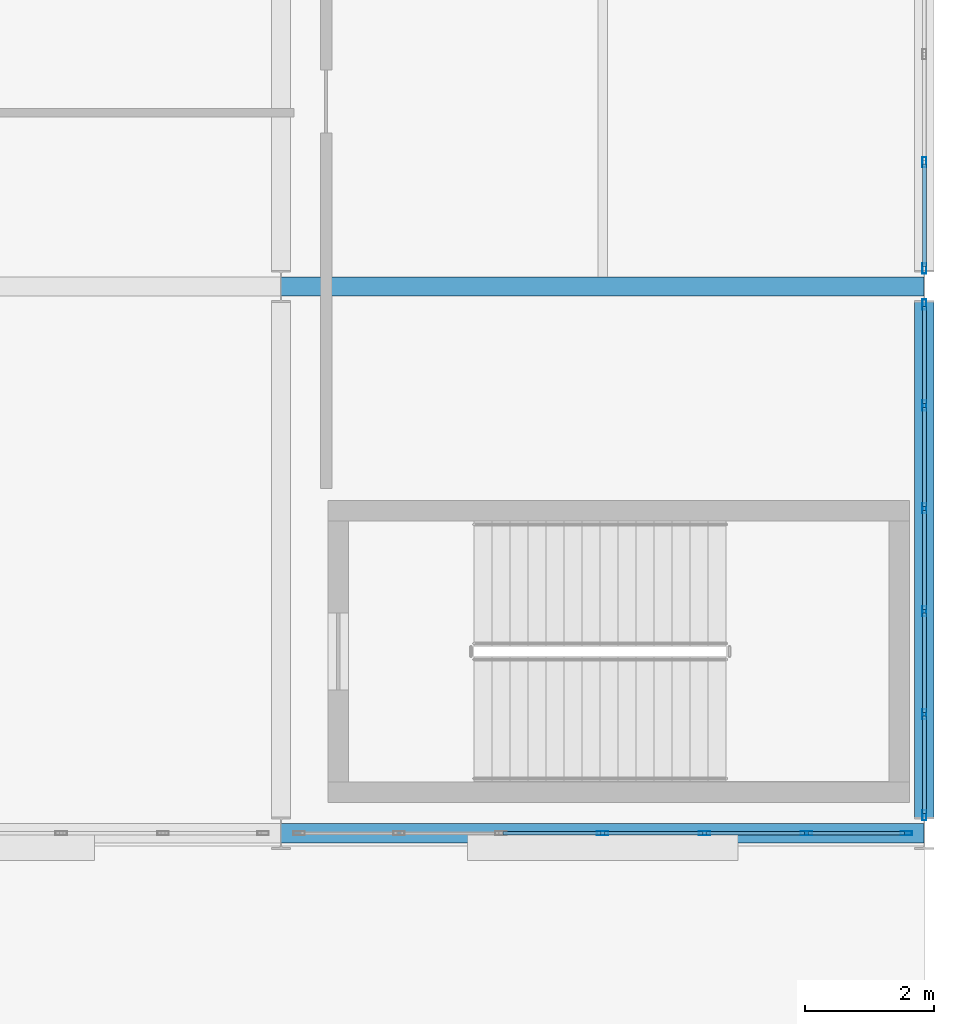
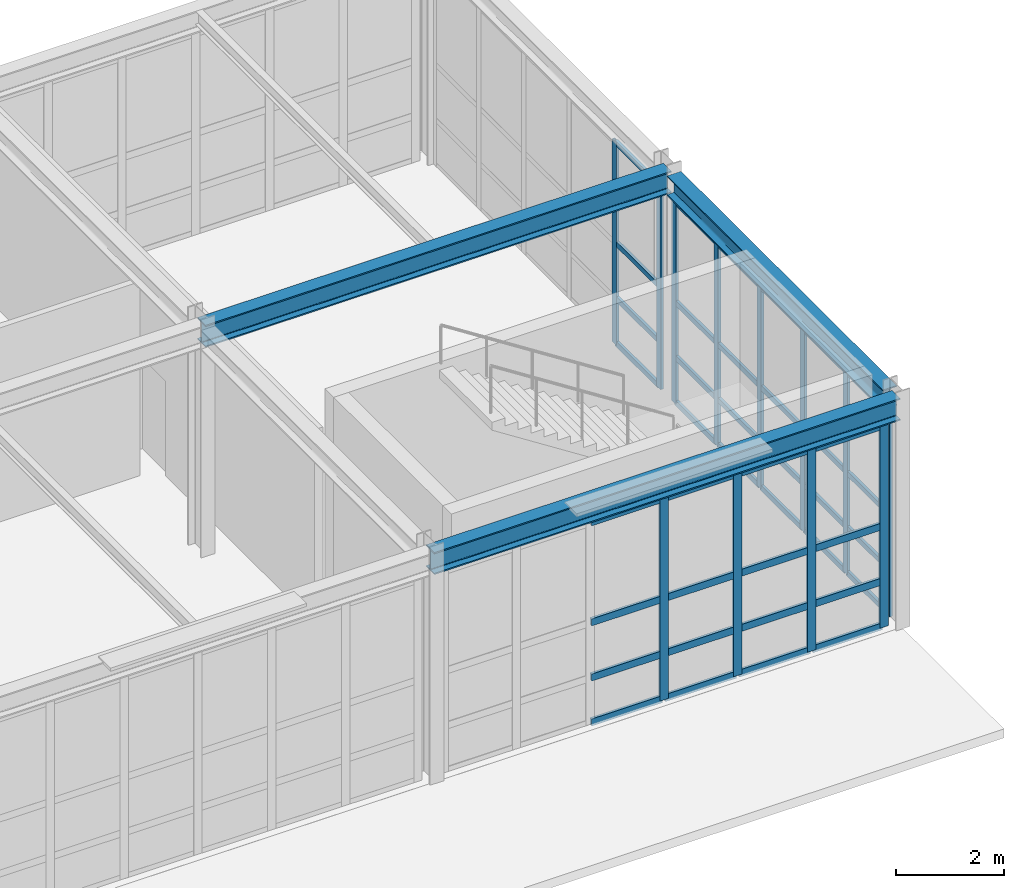
# One storey, part 103 of 210: 52 members, 3 beams, 3 elements without a shape of their own.
"""IFC4 building model written with IfcOpenShell, lengths in metres."""

from ifc_helpers import new_model, si_unit, direction, frame, origin, origin_2d, place, context, subcontext, project, spatial, hollow_rectangle, i_section, extrude, material, material_profile, profile_set, type_object, element, aggregate, save


model = new_model("IFC4")

# Units and contexts
model_context = context("Model", 3, precision=1e-05, world=origin(), true_north=direction((0.0, 1.0)))
body_context = subcontext(model_context, "Body", "Model", "MODEL_VIEW")
ifc_project = project(units=[si_unit("LENGTHUNIT", "METRE"), si_unit("AREAUNIT", "SQUARE_METRE"), si_unit("VOLUMEUNIT", "CUBIC_METRE"), si_unit("PLANEANGLEUNIT", "RADIAN"), si_unit("MASSUNIT", "GRAM", prefix="KILO")], contexts=[model_context])

# Site, building, storey
site_placement = place(None, origin())
site = spatial("IfcSite", under=ifc_project, at=site_placement, CompositionType="ELEMENT")
building_placement = place(site_placement, origin())
building = spatial("IfcBuilding", under=site, at=building_placement, Name="Kaldris Quays Convention Centre", CompositionType="ELEMENT")
storey_placement = place(building_placement, frame((0.0, 0.0, 6.0)))
storey = spatial("IfcBuildingStorey", under=building, at=storey_placement, Name="L01", CompositionType="ELEMENT", Elevation=6.0)

# Curtain wall, members
ifc_material_1 = material(Name="Anodized aluminium AW-6060 and triple glazing", Category="aluminium")
curtain_wall_type = type_object("IfcCurtainWallType", Name="UNITISED CURTAIN WALL CW02", PredefinedType="NOTDEFINED", material=ifc_material_1)
curtain_wall_1_placement = place(storey_placement, origin())
curtain_wall_1 = element("IfcCurtainWall", 1, at=curtain_wall_1_placement, inside=storey, type_object=curtain_wall_type, Name="L01 Unitised Curtain Wall CW02 196", PredefinedType="NOTDEFINED")
ifc_material_2 = material(Name="Anodized aluminium AW-6060", Category="aluminium")
ifc_material_profile_1 = material_profile(ifc_material_2, hollow_rectangle(XDim=0.06005859375, YDim=0.159912109375, WallThickness=0.00390625, at=origin_2d()), Name="RHS 160x60x4")
ifc_profile_set_1 = profile_set([ifc_material_profile_1], Name="Anodized aluminium AW-6060")
member_type_1 = type_object("IfcMemberType", Name="CURTAIN MULLION CWM1", PredefinedType="MULLION", material=ifc_profile_set_1)
member_1_placement = place(storey_placement, frame((204.0, 20.280029296875, 0.0), z_axis=(0.0, 0.0, 1.0), x_axis=(-1.0, 0.0, 0.0)))
member_1 = element("IfcMember", 2, at=member_1_placement, type_object=member_type_1, Name="CW02 mullion 1", PredefinedType="MULLION", context=body_context, shape_type="SweptSolid", body=[
    extrude(hollow_rectangle(XDim=0.06005859375, YDim=0.159912109375, WallThickness=0.00390625, at=origin_2d()), origin(), (0.0, 0.0, 1.0), 4.60009765625),
])
member_2_placement = place(storey_placement, frame((204.0, 21.85009765625, 0.0), z_axis=(0.0, 0.0, 1.0), x_axis=(-1.0, 0.0, 0.0)))
member_2 = element("IfcMember", 3, at=member_2_placement, type_object=member_type_1, Name="CW02 mullion 2", PredefinedType="MULLION", context=body_context, shape_type="SweptSolid", body=[
    extrude(hollow_rectangle(XDim=0.06005859375, YDim=0.159912109375, WallThickness=0.00390625, at=origin_2d()), origin(), (0.0, 0.0, 1.0), 4.60009765625),
])
member_3_placement = place(storey_placement, frame((204.0, 23.449951171875, 0.0), z_axis=(0.0, 0.0, 1.0), x_axis=(-1.0, 0.0, 0.0)))
member_3 = element("IfcMember", 4, at=member_3_placement, type_object=member_type_1, Name="CW02 mullion 3", PredefinedType="MULLION", context=body_context, shape_type="SweptSolid", body=[
    extrude(hollow_rectangle(XDim=0.06005859375, YDim=0.159912109375, WallThickness=0.00390625, at=origin_2d()), origin(), (0.0, 0.0, 1.0), 4.60009765625),
])
member_4_placement = place(storey_placement, frame((204.0, 25.050048828125, 0.0), z_axis=(0.0, 0.0, 1.0), x_axis=(-1.0, 0.0, 0.0)))
member_4 = element("IfcMember", 5, at=member_4_placement, type_object=member_type_1, Name="CW02 mullion 4", PredefinedType="MULLION", context=body_context, shape_type="SweptSolid", body=[
    extrude(hollow_rectangle(XDim=0.06005859375, YDim=0.159912109375, WallThickness=0.00390625, at=origin_2d()), origin(), (0.0, 0.0, 1.0), 4.60009765625),
])
member_5_placement = place(storey_placement, frame((204.0, 26.64990234375, 0.0), z_axis=(0.0, 0.0, 1.0), x_axis=(-1.0, 0.0, 0.0)))
member_5 = element("IfcMember", 6, at=member_5_placement, type_object=member_type_1, Name="CW02 mullion 5", PredefinedType="MULLION", context=body_context, shape_type="SweptSolid", body=[
    extrude(hollow_rectangle(XDim=0.06005859375, YDim=0.159912109375, WallThickness=0.00390625, at=origin_2d()), origin(), (0.0, 0.0, 1.0), 4.60009765625),
])
member_6_placement = place(storey_placement, frame((204.0, 28.219970703125, 0.0), z_axis=(0.0, 0.0, 1.0), x_axis=(-1.0, 0.0, 0.0)))
member_6 = element("IfcMember", 7, at=member_6_placement, type_object=member_type_1, Name="CW02 mullion 6", PredefinedType="MULLION", context=body_context, shape_type="SweptSolid", body=[
    extrude(hollow_rectangle(XDim=0.06005859375, YDim=0.159912109375, WallThickness=0.00390625, at=origin_2d()), origin(), (0.0, 0.0, 1.0), 4.60009765625),
])

curtain_wall_2_placement = place(storey_placement, origin())
curtain_wall_2 = element("IfcCurtainWall", 8, at=curtain_wall_2_placement, inside=storey, type_object=curtain_wall_type, Name="L01 Unitised Curtain Wall CW02 198", PredefinedType="NOTDEFINED")
member_7_placement = place(storey_placement, frame((204.0, 28.780029296875, 0.0), z_axis=(0.0, 0.0, 1.0), x_axis=(-1.0, 0.0, 0.0)))
member_7 = element("IfcMember", 9, at=member_7_placement, type_object=member_type_1, Name="CW02 mullion 1", PredefinedType="MULLION", context=body_context, shape_type="SweptSolid", body=[
    extrude(hollow_rectangle(XDim=0.06005859375, YDim=0.159912109375, WallThickness=0.00390625, at=origin_2d()), origin(), (0.0, 0.0, 1.0), 4.60009765625),
])
member_8_placement = place(storey_placement, frame((204.0, 30.429931640625, 0.0), z_axis=(0.0, 0.0, 1.0), x_axis=(-1.0, 0.0, 0.0)))
member_8 = element("IfcMember", 10, at=member_8_placement, type_object=member_type_1, Name="CW02 mullion 2", PredefinedType="MULLION", context=body_context, shape_type="SweptSolid", body=[
    extrude(hollow_rectangle(XDim=0.06005859375, YDim=0.159912109375, WallThickness=0.00390625, at=origin_2d()), origin(), (0.0, 0.0, 1.0), 4.60009765625),
])

curtain_wall_3_placement = place(storey_placement, origin())
curtain_wall_3 = element("IfcCurtainWall", 11, at=curtain_wall_3_placement, inside=storey, type_object=curtain_wall_type, Name="L01 Unitised Curtain Wall CW02 193", PredefinedType="NOTDEFINED")
ifc_material_profile_2 = material_profile(ifc_material_2, hollow_rectangle(XDim=0.06005859375, YDim=0.179931640625, WallThickness=0.0048828125, at=origin_2d()), Name="RHS 180x60x5")
ifc_profile_set_2 = profile_set([ifc_material_profile_2], Name="Anodized aluminium AW-6060")
member_type_2 = type_object("IfcMemberType", Name="CURTAIN MULLION CWM2", PredefinedType="MULLION", material=ifc_profile_set_2)
member_9_placement = place(storey_placement, frame((199.0, 20.0, 0.0), z_axis=(0.0, 0.0, 1.0), x_axis=(0.0, 1.0, 0.0)))
member_9 = element("IfcMember", 12, at=member_9_placement, type_object=member_type_2, Name="CW02 mullion 4", PredefinedType="MULLION", context=body_context, shape_type="SweptSolid", body=[
    extrude(hollow_rectangle(XDim=0.06005859375, YDim=0.179931640625, WallThickness=0.0048828125, at=origin_2d()), origin(), (0.0, 0.0, 1.0), 4.60009765625),
])
member_10_placement = place(storey_placement, frame((200.583251953125, 20.0, 0.0), z_axis=(0.0, 0.0, 1.0), x_axis=(0.0, 1.0, 0.0)))
member_10 = element("IfcMember", 13, at=member_10_placement, type_object=member_type_2, Name="CW02 mullion 5", PredefinedType="MULLION", context=body_context, shape_type="SweptSolid", body=[
    extrude(hollow_rectangle(XDim=0.06005859375, YDim=0.179931640625, WallThickness=0.0048828125, at=origin_2d()), origin(), (0.0, 0.0, 1.0), 4.60009765625),
])
member_11_placement = place(storey_placement, frame((202.166748046875, 20.0, 0.0), z_axis=(0.0, 0.0, 1.0), x_axis=(0.0, 1.0, 0.0)))
member_11 = element("IfcMember", 14, at=member_11_placement, type_object=member_type_2, Name="CW02 mullion 6", PredefinedType="MULLION", context=body_context, shape_type="SweptSolid", body=[
    extrude(hollow_rectangle(XDim=0.06005859375, YDim=0.179931640625, WallThickness=0.0048828125, at=origin_2d()), origin(), (0.0, 0.0, 1.0), 4.60009765625),
])
member_12_placement = place(storey_placement, frame((203.719970703125, 20.0, 0.0), z_axis=(0.0, 0.0, 1.0), x_axis=(0.0, 1.0, 0.0)))
member_12 = element("IfcMember", 15, at=member_12_placement, type_object=member_type_2, Name="CW02 mullion 7", PredefinedType="MULLION", context=body_context, shape_type="SweptSolid", body=[
    extrude(hollow_rectangle(XDim=0.06005859375, YDim=0.179931640625, WallThickness=0.0048828125, at=origin_2d()), origin(), (0.0, 0.0, 1.0), 4.60009765625),
])

# Member
ifc_material_profile_3 = material_profile(ifc_material_2, hollow_rectangle(XDim=0.06005859375, YDim=0.1201171875, WallThickness=0.00390625, at=origin_2d()), Name="RHS 120x60x4")
ifc_profile_set_3 = profile_set([ifc_material_profile_3], Name="Anodized aluminium AW-6060")
member_type_3 = type_object("IfcMemberType", Name="CURTAIN TRANSOM CWT1", PredefinedType="USERDEFINED", material=ifc_profile_set_3)
member_13_placement = place(storey_placement, frame((204.0, 20.31005859375, 0.030029296875), z_axis=(0.0, 1.0, 0.0), x_axis=(-1.0, 0.0, 0.0)))
member_13 = element("IfcMember", 16, at=member_13_placement, type_object=member_type_3, Name="CW02 transom 1.1", ObjectType="TRANSOM", PredefinedType="USERDEFINED", context=body_context, shape_type="SweptSolid", body=[
    extrude(hollow_rectangle(XDim=0.06005859375, YDim=0.1201171875, WallThickness=0.00390625, at=origin_2d()), origin(), (0.0, 0.0, 1.0), 1.510009765625),
])

member_14_placement = place(storey_placement, frame((204.0, 20.31005859375, 1.050048828125), z_axis=(0.0, 1.0, 0.0), x_axis=(-1.0, 0.0, 0.0)))
member_14 = element("IfcMember", 17, at=member_14_placement, type_object=member_type_3, Name="CW02 transom 1.2", ObjectType="TRANSOM", PredefinedType="USERDEFINED", context=body_context, shape_type="SweptSolid", body=[
    extrude(hollow_rectangle(XDim=0.06005859375, YDim=0.1201171875, WallThickness=0.00390625, at=origin_2d()), origin(), (0.0, 0.0, 1.0), 1.510009765625),
])

member_15_placement = place(storey_placement, frame((204.0, 20.31005859375, 2.300048828125), z_axis=(0.0, 1.0, 0.0), x_axis=(-1.0, 0.0, 0.0)))
member_15 = element("IfcMember", 18, at=member_15_placement, type_object=member_type_3, Name="CW02 transom 1.3", ObjectType="TRANSOM", PredefinedType="USERDEFINED", context=body_context, shape_type="SweptSolid", body=[
    extrude(hollow_rectangle(XDim=0.06005859375, YDim=0.1201171875, WallThickness=0.00390625, at=origin_2d()), origin(), (0.0, 0.0, 1.0), 1.510009765625),
])

member_16_placement = place(storey_placement, frame((204.0, 20.31005859375, 4.570068359375), z_axis=(0.0, 1.0, 0.0), x_axis=(-1.0, 0.0, 0.0)))
member_16 = element("IfcMember", 19, at=member_16_placement, type_object=member_type_3, Name="CW02 transom 1.4", ObjectType="TRANSOM", PredefinedType="USERDEFINED", context=body_context, shape_type="SweptSolid", body=[
    extrude(hollow_rectangle(XDim=0.06005859375, YDim=0.1201171875, WallThickness=0.00390625, at=origin_2d()), origin(), (0.0, 0.0, 1.0), 1.510009765625),
])

member_17_placement = place(storey_placement, frame((204.0, 21.8798828125, 0.030029296875), z_axis=(0.0, 1.0, 0.0), x_axis=(-1.0, 0.0, 0.0)))
member_17 = element("IfcMember", 20, at=member_17_placement, type_object=member_type_3, Name="CW02 transom 2.1", ObjectType="TRANSOM", PredefinedType="USERDEFINED", context=body_context, shape_type="SweptSolid", body=[
    extrude(hollow_rectangle(XDim=0.06005859375, YDim=0.1201171875, WallThickness=0.00390625, at=origin_2d()), origin(), (0.0, 0.0, 1.0), 1.5400390625),
])

member_18_placement = place(storey_placement, frame((204.0, 21.8798828125, 1.050048828125), z_axis=(0.0, 1.0, 0.0), x_axis=(-1.0, 0.0, 0.0)))
member_18 = element("IfcMember", 21, at=member_18_placement, type_object=member_type_3, Name="CW02 transom 2.2", ObjectType="TRANSOM", PredefinedType="USERDEFINED", context=body_context, shape_type="SweptSolid", body=[
    extrude(hollow_rectangle(XDim=0.06005859375, YDim=0.1201171875, WallThickness=0.00390625, at=origin_2d()), origin(), (0.0, 0.0, 1.0), 1.5400390625),
])

member_19_placement = place(storey_placement, frame((204.0, 21.8798828125, 2.300048828125), z_axis=(0.0, 1.0, 0.0), x_axis=(-1.0, 0.0, 0.0)))
member_19 = element("IfcMember", 22, at=member_19_placement, type_object=member_type_3, Name="CW02 transom 2.3", ObjectType="TRANSOM", PredefinedType="USERDEFINED", context=body_context, shape_type="SweptSolid", body=[
    extrude(hollow_rectangle(XDim=0.06005859375, YDim=0.1201171875, WallThickness=0.00390625, at=origin_2d()), origin(), (0.0, 0.0, 1.0), 1.5400390625),
])

member_20_placement = place(storey_placement, frame((204.0, 21.8798828125, 4.570068359375), z_axis=(0.0, 1.0, 0.0), x_axis=(-1.0, 0.0, 0.0)))
member_20 = element("IfcMember", 23, at=member_20_placement, type_object=member_type_3, Name="CW02 transom 2.4", ObjectType="TRANSOM", PredefinedType="USERDEFINED", context=body_context, shape_type="SweptSolid", body=[
    extrude(hollow_rectangle(XDim=0.06005859375, YDim=0.1201171875, WallThickness=0.00390625, at=origin_2d()), origin(), (0.0, 0.0, 1.0), 1.5400390625),
])

member_21_placement = place(storey_placement, frame((204.0, 23.47998046875, 0.030029296875), z_axis=(0.0, 1.0, 0.0), x_axis=(-1.0, 0.0, 0.0)))
member_21 = element("IfcMember", 24, at=member_21_placement, type_object=member_type_3, Name="CW02 transom 3.1", ObjectType="TRANSOM", PredefinedType="USERDEFINED", context=body_context, shape_type="SweptSolid", body=[
    extrude(hollow_rectangle(XDim=0.06005859375, YDim=0.1201171875, WallThickness=0.00390625, at=origin_2d()), origin(), (0.0, 0.0, 1.0), 1.5400390625),
])

member_22_placement = place(storey_placement, frame((204.0, 23.47998046875, 1.050048828125), z_axis=(0.0, 1.0, 0.0), x_axis=(-1.0, 0.0, 0.0)))
member_22 = element("IfcMember", 25, at=member_22_placement, type_object=member_type_3, Name="CW02 transom 3.2", ObjectType="TRANSOM", PredefinedType="USERDEFINED", context=body_context, shape_type="SweptSolid", body=[
    extrude(hollow_rectangle(XDim=0.06005859375, YDim=0.1201171875, WallThickness=0.00390625, at=origin_2d()), origin(), (0.0, 0.0, 1.0), 1.5400390625),
])

member_23_placement = place(storey_placement, frame((204.0, 23.47998046875, 2.300048828125), z_axis=(0.0, 1.0, 0.0), x_axis=(-1.0, 0.0, 0.0)))
member_23 = element("IfcMember", 26, at=member_23_placement, type_object=member_type_3, Name="CW02 transom 3.3", ObjectType="TRANSOM", PredefinedType="USERDEFINED", context=body_context, shape_type="SweptSolid", body=[
    extrude(hollow_rectangle(XDim=0.06005859375, YDim=0.1201171875, WallThickness=0.00390625, at=origin_2d()), origin(), (0.0, 0.0, 1.0), 1.5400390625),
])

member_24_placement = place(storey_placement, frame((204.0, 23.47998046875, 4.570068359375), z_axis=(0.0, 1.0, 0.0), x_axis=(-1.0, 0.0, 0.0)))
member_24 = element("IfcMember", 27, at=member_24_placement, type_object=member_type_3, Name="CW02 transom 3.4", ObjectType="TRANSOM", PredefinedType="USERDEFINED", context=body_context, shape_type="SweptSolid", body=[
    extrude(hollow_rectangle(XDim=0.06005859375, YDim=0.1201171875, WallThickness=0.00390625, at=origin_2d()), origin(), (0.0, 0.0, 1.0), 1.5400390625),
])

member_25_placement = place(storey_placement, frame((204.0, 25.080078125, 0.030029296875), z_axis=(0.0, 1.0, 0.0), x_axis=(-1.0, 0.0, 0.0)))
member_25 = element("IfcMember", 28, at=member_25_placement, type_object=member_type_3, Name="CW02 transom 4.1", ObjectType="TRANSOM", PredefinedType="USERDEFINED", context=body_context, shape_type="SweptSolid", body=[
    extrude(hollow_rectangle(XDim=0.06005859375, YDim=0.1201171875, WallThickness=0.00390625, at=origin_2d()), origin(), (0.0, 0.0, 1.0), 1.5400390625),
])

member_26_placement = place(storey_placement, frame((204.0, 25.080078125, 1.050048828125), z_axis=(0.0, 1.0, 0.0), x_axis=(-1.0, 0.0, 0.0)))
member_26 = element("IfcMember", 29, at=member_26_placement, type_object=member_type_3, Name="CW02 transom 4.2", ObjectType="TRANSOM", PredefinedType="USERDEFINED", context=body_context, shape_type="SweptSolid", body=[
    extrude(hollow_rectangle(XDim=0.06005859375, YDim=0.1201171875, WallThickness=0.00390625, at=origin_2d()), origin(), (0.0, 0.0, 1.0), 1.5400390625),
])

member_27_placement = place(storey_placement, frame((204.0, 25.080078125, 2.300048828125), z_axis=(0.0, 1.0, 0.0), x_axis=(-1.0, 0.0, 0.0)))
member_27 = element("IfcMember", 30, at=member_27_placement, type_object=member_type_3, Name="CW02 transom 4.3", ObjectType="TRANSOM", PredefinedType="USERDEFINED", context=body_context, shape_type="SweptSolid", body=[
    extrude(hollow_rectangle(XDim=0.06005859375, YDim=0.1201171875, WallThickness=0.00390625, at=origin_2d()), origin(), (0.0, 0.0, 1.0), 1.5400390625),
])

member_28_placement = place(storey_placement, frame((204.0, 25.080078125, 4.570068359375), z_axis=(0.0, 1.0, 0.0), x_axis=(-1.0, 0.0, 0.0)))
member_28 = element("IfcMember", 31, at=member_28_placement, type_object=member_type_3, Name="CW02 transom 4.4", ObjectType="TRANSOM", PredefinedType="USERDEFINED", context=body_context, shape_type="SweptSolid", body=[
    extrude(hollow_rectangle(XDim=0.06005859375, YDim=0.1201171875, WallThickness=0.00390625, at=origin_2d()), origin(), (0.0, 0.0, 1.0), 1.5400390625),
])

member_29_placement = place(storey_placement, frame((204.0, 26.679931640625, 0.030029296875), z_axis=(0.0, 1.0, 0.0), x_axis=(-1.0, 0.0, 0.0)))
member_29 = element("IfcMember", 32, at=member_29_placement, type_object=member_type_3, Name="CW02 transom 5.1", ObjectType="TRANSOM", PredefinedType="USERDEFINED", context=body_context, shape_type="SweptSolid", body=[
    extrude(hollow_rectangle(XDim=0.06005859375, YDim=0.1201171875, WallThickness=0.00390625, at=origin_2d()), origin(), (0.0, 0.0, 1.0), 1.510009765625),
])

member_30_placement = place(storey_placement, frame((204.0, 26.679931640625, 1.050048828125), z_axis=(0.0, 1.0, 0.0), x_axis=(-1.0, 0.0, 0.0)))
member_30 = element("IfcMember", 33, at=member_30_placement, type_object=member_type_3, Name="CW02 transom 5.2", ObjectType="TRANSOM", PredefinedType="USERDEFINED", context=body_context, shape_type="SweptSolid", body=[
    extrude(hollow_rectangle(XDim=0.06005859375, YDim=0.1201171875, WallThickness=0.00390625, at=origin_2d()), origin(), (0.0, 0.0, 1.0), 1.510009765625),
])

member_31_placement = place(storey_placement, frame((204.0, 26.679931640625, 2.300048828125), z_axis=(0.0, 1.0, 0.0), x_axis=(-1.0, 0.0, 0.0)))
member_31 = element("IfcMember", 34, at=member_31_placement, type_object=member_type_3, Name="CW02 transom 5.3", ObjectType="TRANSOM", PredefinedType="USERDEFINED", context=body_context, shape_type="SweptSolid", body=[
    extrude(hollow_rectangle(XDim=0.06005859375, YDim=0.1201171875, WallThickness=0.00390625, at=origin_2d()), origin(), (0.0, 0.0, 1.0), 1.510009765625),
])

member_32_placement = place(storey_placement, frame((204.0, 26.679931640625, 4.570068359375), z_axis=(0.0, 1.0, 0.0), x_axis=(-1.0, 0.0, 0.0)))
member_32 = element("IfcMember", 35, at=member_32_placement, type_object=member_type_3, Name="CW02 transom 5.4", ObjectType="TRANSOM", PredefinedType="USERDEFINED", context=body_context, shape_type="SweptSolid", body=[
    extrude(hollow_rectangle(XDim=0.06005859375, YDim=0.1201171875, WallThickness=0.00390625, at=origin_2d()), origin(), (0.0, 0.0, 1.0), 1.510009765625),
])

aggregate(curtain_wall_1, [member_1, member_2, member_3, member_4, member_5, member_6, member_13, member_14, member_15, member_16, member_17, member_18, member_19, member_20, member_21, member_22, member_23, member_24, member_25, member_26, member_27, member_28, member_29, member_30, member_31, member_32])

member_33_placement = place(storey_placement, frame((204.0, 28.81005859375, 0.030029296875), z_axis=(0.0, 1.0, 0.0), x_axis=(-1.0, 0.0, 0.0)))
member_33 = element("IfcMember", 36, at=member_33_placement, type_object=member_type_3, Name="CW02 transom 1.1", ObjectType="TRANSOM", PredefinedType="USERDEFINED", context=body_context, shape_type="SweptSolid", body=[
    extrude(hollow_rectangle(XDim=0.06005859375, YDim=0.1201171875, WallThickness=0.00390625, at=origin_2d()), origin(), (0.0, 0.0, 1.0), 1.58984375),
])

member_34_placement = place(storey_placement, frame((204.0, 28.81005859375, 1.050048828125), z_axis=(0.0, 1.0, 0.0), x_axis=(-1.0, 0.0, 0.0)))
member_34 = element("IfcMember", 37, at=member_34_placement, type_object=member_type_3, Name="CW02 transom 1.2", ObjectType="TRANSOM", PredefinedType="USERDEFINED", context=body_context, shape_type="SweptSolid", body=[
    extrude(hollow_rectangle(XDim=0.06005859375, YDim=0.1201171875, WallThickness=0.00390625, at=origin_2d()), origin(), (0.0, 0.0, 1.0), 1.58984375),
])

member_35_placement = place(storey_placement, frame((204.0, 28.81005859375, 2.300048828125), z_axis=(0.0, 1.0, 0.0), x_axis=(-1.0, 0.0, 0.0)))
member_35 = element("IfcMember", 38, at=member_35_placement, type_object=member_type_3, Name="CW02 transom 1.3", ObjectType="TRANSOM", PredefinedType="USERDEFINED", context=body_context, shape_type="SweptSolid", body=[
    extrude(hollow_rectangle(XDim=0.06005859375, YDim=0.1201171875, WallThickness=0.00390625, at=origin_2d()), origin(), (0.0, 0.0, 1.0), 1.58984375),
])

member_36_placement = place(storey_placement, frame((204.0, 28.81005859375, 4.570068359375), z_axis=(0.0, 1.0, 0.0), x_axis=(-1.0, 0.0, 0.0)))
member_36 = element("IfcMember", 39, at=member_36_placement, type_object=member_type_3, Name="CW02 transom 1.4", ObjectType="TRANSOM", PredefinedType="USERDEFINED", context=body_context, shape_type="SweptSolid", body=[
    extrude(hollow_rectangle(XDim=0.06005859375, YDim=0.1201171875, WallThickness=0.00390625, at=origin_2d()), origin(), (0.0, 0.0, 1.0), 1.58984375),
])

aggregate(curtain_wall_2, [member_7, member_8, member_33, member_34, member_35, member_36])

ifc_material_profile_4 = material_profile(ifc_material_2, hollow_rectangle(XDim=0.06005859375, YDim=0.159912109375, WallThickness=0.00390625, at=origin_2d()), Name="RHS 160x60x4")
ifc_profile_set_4 = profile_set([ifc_material_profile_4], Name="Anodized aluminium AW-6060")
member_type_4 = type_object("IfcMemberType", Name="CURTAIN TRANSOM CWT2", PredefinedType="USERDEFINED", material=ifc_profile_set_4)
member_37_placement = place(storey_placement, frame((197.44677734375, 20.0, 0.030029296875), z_axis=(1.0, 0.0, 0.0), x_axis=(0.0, 1.0, 0.0)))
member_37 = element("IfcMember", 40, at=member_37_placement, type_object=member_type_4, Name="CW02 transom 3.1", ObjectType="TRANSOM", PredefinedType="USERDEFINED", context=body_context, shape_type="SweptSolid", body=[
    extrude(hollow_rectangle(XDim=0.06005859375, YDim=0.159912109375, WallThickness=0.00390625, at=origin_2d()), origin(), (0.0, 0.0, 1.0), 1.523193359375),
])

member_38_placement = place(storey_placement, frame((197.44677734375, 20.0, 1.050048828125), z_axis=(1.0, 0.0, 0.0), x_axis=(0.0, 1.0, 0.0)))
member_38 = element("IfcMember", 41, at=member_38_placement, type_object=member_type_4, Name="CW02 transom 3.2", ObjectType="TRANSOM", PredefinedType="USERDEFINED", context=body_context, shape_type="SweptSolid", body=[
    extrude(hollow_rectangle(XDim=0.06005859375, YDim=0.159912109375, WallThickness=0.00390625, at=origin_2d()), origin(), (0.0, 0.0, 1.0), 1.523193359375),
])

member_39_placement = place(storey_placement, frame((197.44677734375, 20.0, 2.300048828125), z_axis=(1.0, 0.0, 0.0), x_axis=(0.0, 1.0, 0.0)))
member_39 = element("IfcMember", 42, at=member_39_placement, type_object=member_type_4, Name="CW02 transom 3.3", ObjectType="TRANSOM", PredefinedType="USERDEFINED", context=body_context, shape_type="SweptSolid", body=[
    extrude(hollow_rectangle(XDim=0.06005859375, YDim=0.159912109375, WallThickness=0.00390625, at=origin_2d()), origin(), (0.0, 0.0, 1.0), 1.523193359375),
])

member_40_placement = place(storey_placement, frame((197.44677734375, 20.0, 4.570068359375), z_axis=(1.0, 0.0, 0.0), x_axis=(0.0, 1.0, 0.0)))
member_40 = element("IfcMember", 43, at=member_40_placement, type_object=member_type_4, Name="CW02 transom 3.4", ObjectType="TRANSOM", PredefinedType="USERDEFINED", context=body_context, shape_type="SweptSolid", body=[
    extrude(hollow_rectangle(XDim=0.06005859375, YDim=0.159912109375, WallThickness=0.00390625, at=origin_2d()), origin(), (0.0, 0.0, 1.0), 1.523193359375),
])

member_41_placement = place(storey_placement, frame((199.030029296875, 20.0, 0.030029296875), z_axis=(1.0, 0.0, 0.0), x_axis=(0.0, 1.0, 0.0)))
member_41 = element("IfcMember", 44, at=member_41_placement, type_object=member_type_4, Name="CW02 transom 4.1", ObjectType="TRANSOM", PredefinedType="USERDEFINED", context=body_context, shape_type="SweptSolid", body=[
    extrude(hollow_rectangle(XDim=0.06005859375, YDim=0.159912109375, WallThickness=0.00390625, at=origin_2d()), origin(), (0.0, 0.0, 1.0), 1.523193359375),
])

member_42_placement = place(storey_placement, frame((199.030029296875, 20.0, 1.050048828125), z_axis=(1.0, 0.0, 0.0), x_axis=(0.0, 1.0, 0.0)))
member_42 = element("IfcMember", 45, at=member_42_placement, type_object=member_type_4, Name="CW02 transom 4.2", ObjectType="TRANSOM", PredefinedType="USERDEFINED", context=body_context, shape_type="SweptSolid", body=[
    extrude(hollow_rectangle(XDim=0.06005859375, YDim=0.159912109375, WallThickness=0.00390625, at=origin_2d()), origin(), (0.0, 0.0, 1.0), 1.523193359375),
])

member_43_placement = place(storey_placement, frame((199.030029296875, 20.0, 2.300048828125), z_axis=(1.0, 0.0, 0.0), x_axis=(0.0, 1.0, 0.0)))
member_43 = element("IfcMember", 46, at=member_43_placement, type_object=member_type_4, Name="CW02 transom 4.3", ObjectType="TRANSOM", PredefinedType="USERDEFINED", context=body_context, shape_type="SweptSolid", body=[
    extrude(hollow_rectangle(XDim=0.06005859375, YDim=0.159912109375, WallThickness=0.00390625, at=origin_2d()), origin(), (0.0, 0.0, 1.0), 1.523193359375),
])

member_44_placement = place(storey_placement, frame((199.030029296875, 20.0, 4.570068359375), z_axis=(1.0, 0.0, 0.0), x_axis=(0.0, 1.0, 0.0)))
member_44 = element("IfcMember", 47, at=member_44_placement, type_object=member_type_4, Name="CW02 transom 4.4", ObjectType="TRANSOM", PredefinedType="USERDEFINED", context=body_context, shape_type="SweptSolid", body=[
    extrude(hollow_rectangle(XDim=0.06005859375, YDim=0.159912109375, WallThickness=0.00390625, at=origin_2d()), origin(), (0.0, 0.0, 1.0), 1.523193359375),
])

member_45_placement = place(storey_placement, frame((200.61328125, 20.0, 0.030029296875), z_axis=(1.0, 0.0, 0.0), x_axis=(0.0, 1.0, 0.0)))
member_45 = element("IfcMember", 48, at=member_45_placement, type_object=member_type_4, Name="CW02 transom 5.1", ObjectType="TRANSOM", PredefinedType="USERDEFINED", context=body_context, shape_type="SweptSolid", body=[
    extrude(hollow_rectangle(XDim=0.06005859375, YDim=0.159912109375, WallThickness=0.00390625, at=origin_2d()), origin(), (0.0, 0.0, 1.0), 1.5234375),
])

member_46_placement = place(storey_placement, frame((200.61328125, 20.0, 1.050048828125), z_axis=(1.0, 0.0, 0.0), x_axis=(0.0, 1.0, 0.0)))
member_46 = element("IfcMember", 49, at=member_46_placement, type_object=member_type_4, Name="CW02 transom 5.2", ObjectType="TRANSOM", PredefinedType="USERDEFINED", context=body_context, shape_type="SweptSolid", body=[
    extrude(hollow_rectangle(XDim=0.06005859375, YDim=0.159912109375, WallThickness=0.00390625, at=origin_2d()), origin(), (0.0, 0.0, 1.0), 1.5234375),
])

member_47_placement = place(storey_placement, frame((200.61328125, 20.0, 2.300048828125), z_axis=(1.0, 0.0, 0.0), x_axis=(0.0, 1.0, 0.0)))
member_47 = element("IfcMember", 50, at=member_47_placement, type_object=member_type_4, Name="CW02 transom 5.3", ObjectType="TRANSOM", PredefinedType="USERDEFINED", context=body_context, shape_type="SweptSolid", body=[
    extrude(hollow_rectangle(XDim=0.06005859375, YDim=0.159912109375, WallThickness=0.00390625, at=origin_2d()), origin(), (0.0, 0.0, 1.0), 1.5234375),
])

member_48_placement = place(storey_placement, frame((200.61328125, 20.0, 4.570068359375), z_axis=(1.0, 0.0, 0.0), x_axis=(0.0, 1.0, 0.0)))
member_48 = element("IfcMember", 51, at=member_48_placement, type_object=member_type_4, Name="CW02 transom 5.4", ObjectType="TRANSOM", PredefinedType="USERDEFINED", context=body_context, shape_type="SweptSolid", body=[
    extrude(hollow_rectangle(XDim=0.06005859375, YDim=0.159912109375, WallThickness=0.00390625, at=origin_2d()), origin(), (0.0, 0.0, 1.0), 1.5234375),
])

member_49_placement = place(storey_placement, frame((202.19677734375, 20.0, 0.030029296875), z_axis=(1.0, 0.0, 0.0), x_axis=(0.0, 1.0, 0.0)))
member_49 = element("IfcMember", 52, at=member_49_placement, type_object=member_type_4, Name="CW02 transom 6.1", ObjectType="TRANSOM", PredefinedType="USERDEFINED", context=body_context, shape_type="SweptSolid", body=[
    extrude(hollow_rectangle(XDim=0.06005859375, YDim=0.159912109375, WallThickness=0.00390625, at=origin_2d()), origin(), (0.0, 0.0, 1.0), 1.4931640625),
])

member_50_placement = place(storey_placement, frame((202.19677734375, 20.0, 1.050048828125), z_axis=(1.0, 0.0, 0.0), x_axis=(0.0, 1.0, 0.0)))
member_50 = element("IfcMember", 53, at=member_50_placement, type_object=member_type_4, Name="CW02 transom 6.2", ObjectType="TRANSOM", PredefinedType="USERDEFINED", context=body_context, shape_type="SweptSolid", body=[
    extrude(hollow_rectangle(XDim=0.06005859375, YDim=0.159912109375, WallThickness=0.00390625, at=origin_2d()), origin(), (0.0, 0.0, 1.0), 1.4931640625),
])

member_51_placement = place(storey_placement, frame((202.19677734375, 20.0, 2.300048828125), z_axis=(1.0, 0.0, 0.0), x_axis=(0.0, 1.0, 0.0)))
member_51 = element("IfcMember", 54, at=member_51_placement, type_object=member_type_4, Name="CW02 transom 6.3", ObjectType="TRANSOM", PredefinedType="USERDEFINED", context=body_context, shape_type="SweptSolid", body=[
    extrude(hollow_rectangle(XDim=0.06005859375, YDim=0.159912109375, WallThickness=0.00390625, at=origin_2d()), origin(), (0.0, 0.0, 1.0), 1.4931640625),
])

member_52_placement = place(storey_placement, frame((202.19677734375, 20.0, 4.570068359375), z_axis=(1.0, 0.0, 0.0), x_axis=(0.0, 1.0, 0.0)))
member_52 = element("IfcMember", 55, at=member_52_placement, type_object=member_type_4, Name="CW02 transom 6.4", ObjectType="TRANSOM", PredefinedType="USERDEFINED", context=body_context, shape_type="SweptSolid", body=[
    extrude(hollow_rectangle(XDim=0.06005859375, YDim=0.159912109375, WallThickness=0.00390625, at=origin_2d()), origin(), (0.0, 0.0, 1.0), 1.4931640625),
])

aggregate(curtain_wall_3, [member_9, member_10, member_11, member_12, member_37, member_38, member_39, member_40, member_41, member_42, member_43, member_44, member_45, member_46, member_47, member_48, member_49, member_50, member_51, member_52])

# Beams
ifc_material_3 = material(Name="Steel S355J2", Category="steel")
ifc_material_profile_5 = material_profile(ifc_material_3, i_section(OverallWidth=0.300048828125, OverallDepth=0.5, WebThickness=0.014404296875, FlangeThickness=0.028076171875, FilletRadius=0.027099609375, at=origin_2d()), Name="HEB 500")
ifc_profile_set_5 = profile_set([ifc_material_profile_5], Name="Steel S355J2")
beam_type_1 = type_object("IfcBeamType", Name="STRUCTURAL BEAM BM06", PredefinedType="BEAM", material=ifc_profile_set_5)
for number, where, z_axis, x_axis, name in (
    (56, (194.001220703125, 20.0, 4.9130859375), (1.0, 0.0, 0.0), (0.0, 1.0, 0.0), "L01 Girder BM06 5"),
    (57, (194.001220703125, 28.5, 4.9130859375), (1.0, 0.0, 0.0), (0.0, 1.0, 0.0), "L01 Girder BM06 10"),
):
    element("IfcBeam", number, at=place(storey_placement, frame(where, z_axis=z_axis, x_axis=x_axis)), inside=storey, type_object=beam_type_1, Name=name, PredefinedType="BEAM", context=body_context, shape_type="SweptSolid", body=[
        extrude(i_section(OverallWidth=0.300048828125, OverallDepth=0.5, WebThickness=0.014404296875, FlangeThickness=0.028076171875, FilletRadius=0.027099609375, at=origin_2d()), origin(), (0.0, 0.0, 1.0), 9.99755859375),
    ])
ifc_material_profile_6 = material_profile(ifc_material_3, i_section(OverallWidth=0.300048828125, OverallDepth=0.449951171875, WebThickness=0.013916015625, FlangeThickness=0.02587890625, FilletRadius=0.027099609375, at=origin_2d()), Name="HEB 450")
ifc_profile_set_6 = profile_set([ifc_material_profile_6], Name="Steel S355J2")
beam_type_2 = type_object("IfcBeamType", Name="STRUCTURAL BEAM BM07", PredefinedType="BEAM", material=ifc_profile_set_6)
beam_placement = place(storey_placement, frame((204.0, 20.243896484375, 4.93798828125), z_axis=(0.0, 1.0, 0.0), x_axis=(-1.0, 0.0, 0.0)))
element("IfcBeam", 58, at=beam_placement, inside=storey, type_object=beam_type_2, Name="L01 Girder BM07 26", PredefinedType="BEAM", context=body_context, shape_type="SweptSolid", body=[
    extrude(i_section(OverallWidth=0.300048828125, OverallDepth=0.449951171875, WebThickness=0.013916015625, FlangeThickness=0.02587890625, FilletRadius=0.027099609375, at=origin_2d()), origin(), (0.0, 0.0, 1.0), 8.01220703125),
])

save(model, "model.ifc")
